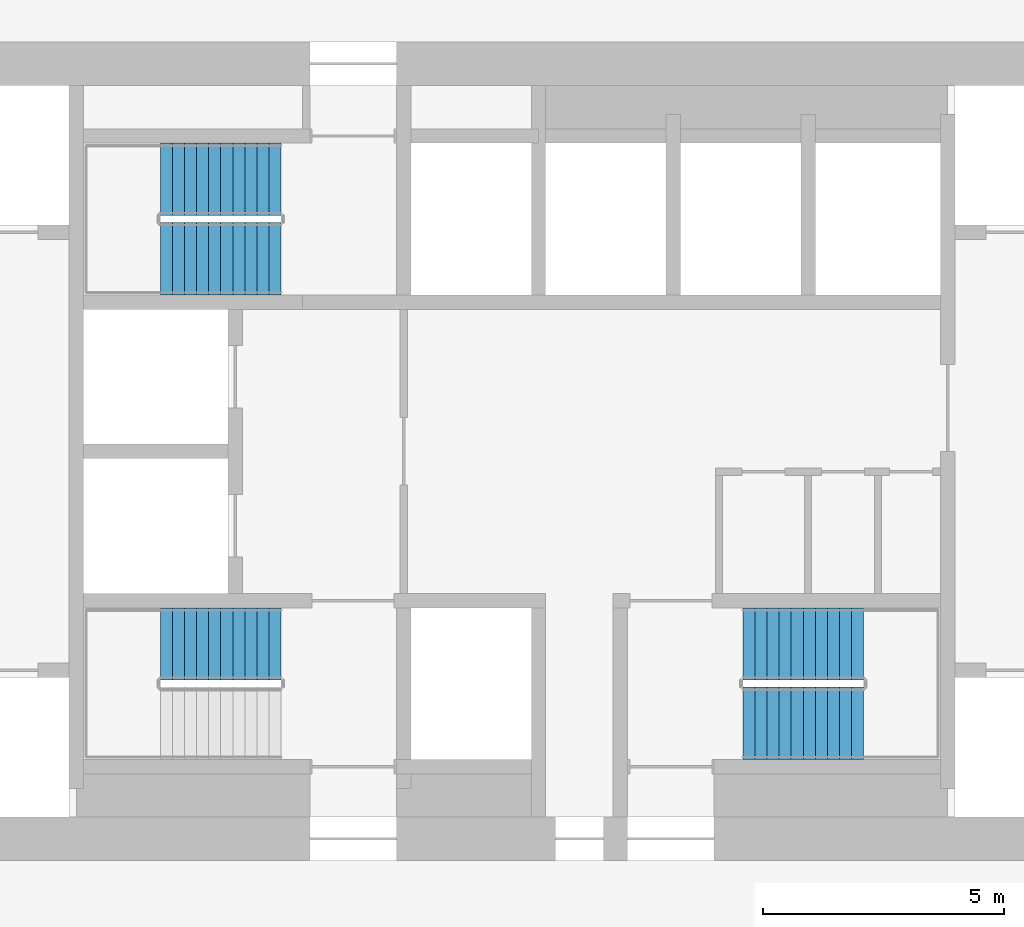
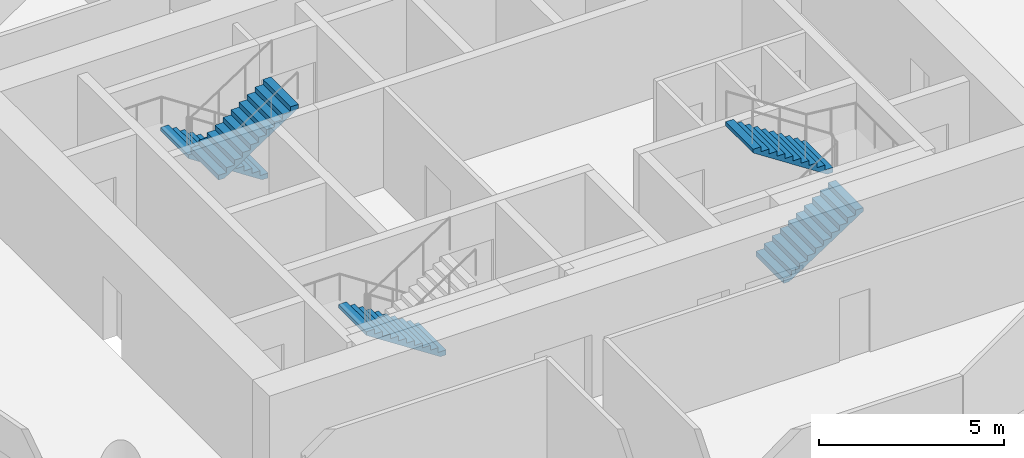
# One storey, part 9 of 10: 5 stair flights, 3 elements without a shape of their own.
"""IFC4 building model written with IfcOpenShell, lengths in metres."""

from ifc_helpers import new_model, si_unit, direction, frame, origin, place, context, subcontext, project, spatial, polyline, outline, extrude, material, type_object, element, aggregate, save


model = new_model("IFC4")

# Units and contexts
model_context = context("Model", 3, precision=1e-05, world=origin(), true_north=direction((0.0, 1.0)))
body_context = subcontext(model_context, "Body", "Model", "MODEL_VIEW")
ifc_project = project(units=[si_unit("LENGTHUNIT", "METRE"), si_unit("AREAUNIT", "SQUARE_METRE"), si_unit("VOLUMEUNIT", "CUBIC_METRE"), si_unit("PLANEANGLEUNIT", "RADIAN"), si_unit("MASSUNIT", "GRAM", prefix="KILO")], contexts=[model_context])

# Site, building, storey
site_placement = place(None, origin())
site = spatial("IfcSite", under=ifc_project, at=site_placement, CompositionType="ELEMENT")
building_placement = place(site_placement, origin())
building = spatial("IfcBuilding", under=site, at=building_placement, Name="Tracery Tower", CompositionType="ELEMENT")
storey_placement = place(building_placement, frame((0.0, 0.0, 140.39990234375)))
storey = spatial("IfcBuildingStorey", under=building, at=storey_placement, Name="L35", CompositionType="ELEMENT", Elevation=140.39990234375)

# Stair, stair flight
ifc_material_1 = material(Name="Concrete C32/40", Category="concrete")
stair_type = type_object("IfcStairType", Name="Core stair 22 risers", PredefinedType="HALF_TURN_STAIR", material=ifc_material_1)
stair_1_placement = place(storey_placement, origin())
stair_1 = element("IfcStair", 1, at=stair_1_placement, inside=storey, type_object=stair_type, Name="L35 stair ST1", PredefinedType="HALF_TURN_STAIR")
ifc_material_2 = material(Name="Concrete C32/40", Category="concrete")
stair_flight_type = type_object("IfcStairFlightType", Name="Core stair flight 11 risers", PredefinedType="STRAIGHT", material=ifc_material_2)
stair_flight_1_placement = place(storey_placement, frame((-4.800048828125, -4.0, 0.0), z_axis=(0.0, 0.0, 1.0), x_axis=(-1.0, 0.0, 0.0)))
stair_flight_1 = element("IfcStairFlight", 2, at=stair_flight_1_placement, type_object=stair_flight_type, Name="ST1 flight 1", NumberOfRisers=11, NumberOfTreads=10, PredefinedType="STRAIGHT", RiserHeight=0.163636364, TreadLength=0.25, context=body_context, shape_type="SweptSolid", body=[
    extrude(outline(polyline([(0.0, 0.0), (0.0, 0.002685546875), (0.0, 0.00537109375), (0.0, 0.008056640625), (0.0, 0.0107421875), (0.0, 0.013427734375), (0.0, 0.01611328125), (0.0, 0.018798828125), (0.0, 0.021484375), (0.0, 0.024169921875), (0.0, 0.02685546875), (0.0, 0.029541015625), (0.0, 0.0322265625), (0.0, 0.034912109375), (0.0, 0.03759765625), (0.0, 0.040283203125), (0.0, 0.04296875), (0.0, 0.045654296875), (0.0, 0.04833984375), (0.0, 0.051025390625), (0.0, 0.0537109375), (0.0, 0.056396484375), (0.0, 0.05908203125), (0.0, 0.061767578125), (0.0, 0.064453125), (0.0, 0.067138671875), (0.0, 0.06982421875), (0.0, 0.072509765625), (0.0, 0.0751953125), (0.0, 0.077880859375), (0.0, 0.08056640625), (0.0, 0.083251953125), (0.0, 0.0859375), (0.0, 0.088623046875), (0.0, 0.09130859375), (0.0, 0.093994140625), (0.0, 0.0966796875), (0.0, 0.099365234375), (0.0, 0.10205078125), (0.0, 0.104736328125), (0.0, 0.107421875), (0.0, 0.10986328125), (0.0, 0.112548828125), (0.0, 0.115234375), (0.0, 0.117919921875), (0.0, 0.12060546875), (0.0, 0.123291015625), (0.0, 0.1259765625), (0.0, 0.128662109375), (0.0, 0.13134765625), (0.0, 0.134033203125), (0.0, 0.13671875), (0.0, 0.139404296875), (0.0, 0.14208984375), (0.0, 0.144775390625), (0.0, 0.1474609375), (0.0, 0.150146484375), (0.0, 0.15283203125), (0.0, 0.155517578125), (0.0, 0.158203125), (0.0, 0.160888671875), (0.0, 0.16357421875), (0.25, 0.16357421875), (0.25, 0.327392578125), (0.5, 0.327392578125), (0.5, 0.490966796875), (0.75, 0.490966796875), (0.75, 0.654541015625), (1.0, 0.654541015625), (1.0, 0.818115234375), (1.25, 0.818115234375), (1.25, 0.98193359375), (1.5, 0.98193359375), (1.5, 1.1455078125), (1.75, 1.1455078125), (1.75, 1.30908203125), (2.0, 1.30908203125), (2.0, 1.47265625), (2.25, 1.47265625), (2.25, 1.636474609375), (2.5, 1.636474609375), (2.5, 1.634521484375), (2.5, 1.63232421875), (2.5, 1.63037109375), (2.5, 1.62841796875), (2.5, 1.62646484375), (2.5, 1.62451171875), (2.5, 1.62255859375), (2.5, 1.62060546875), (2.5, 1.61865234375), (2.5, 1.61669921875), (2.5, 1.61474609375), (2.5, 1.61279296875), (2.5, 1.61083984375), (2.5, 1.60888671875), (2.5, 1.60693359375), (2.5, 1.60498046875), (2.5, 1.60302734375), (2.5, 1.60107421875), (2.5, 1.59912109375), (2.5, 1.59716796875), (2.5, 1.59521484375), (2.5, 1.59326171875), (2.5, 1.59130859375), (2.5, 1.58935546875), (2.5, 1.58740234375), (2.5, 1.58544921875), (2.5, 1.58349609375), (2.5, 1.58154296875), (2.5, 1.57958984375), (2.5, 1.57763671875), (2.5, 1.57568359375), (2.5, 1.573486328125), (2.5, 1.571533203125), (2.5, 1.569580078125), (2.5, 1.567626953125), (2.5, 1.565673828125), (2.5, 1.563720703125), (2.5, 1.561767578125), (2.5, 1.559814453125), (2.5, 1.557861328125), (2.5, 1.555908203125), (2.5, 1.553955078125), (2.5, 1.552001953125), (2.5, 1.550048828125), (2.5, 1.548095703125), (2.5, 1.546142578125), (2.5, 1.544189453125), (2.5, 1.542236328125), (2.5, 1.540283203125), (2.5, 1.538330078125), (2.5, 1.536376953125), (2.5, 1.534423828125), (2.5, 1.532470703125), (2.5, 1.530517578125), (2.5, 1.528564453125), (2.5, 1.526611328125), (2.5, 1.524658203125), (2.5, 1.522705078125), (2.5, 1.520751953125), (2.5, 1.518798828125), (2.5, 1.516845703125), (0.182861328125, 0.0), (0.0, 0.0)])), frame((0.0, 0.75, 0.0), z_axis=(0.0, -1.0, 0.0), x_axis=(1.0, 0.0, 0.0)), (0.0, 0.0, 1.0), 1.5),
])
aggregate(stair_1, [stair_flight_1])

# Stair, stair flights
stair_2_placement = place(storey_placement, origin())
stair_2 = element("IfcStair", 3, at=stair_2_placement, inside=storey, type_object=stair_type, Name="L35 stair ST3", PredefinedType="HALF_TURN_STAIR")
stair_flight_2_placement = place(storey_placement, frame((-4.800048828125, 5.64990234375, 0.0), z_axis=(0.0, 0.0, 1.0), x_axis=(-1.0, 0.0, 0.0)))
stair_flight_2 = element("IfcStairFlight", 4, at=stair_flight_2_placement, type_object=stair_flight_type, Name="ST3 flight 1", NumberOfRisers=11, NumberOfTreads=10, PredefinedType="STRAIGHT", RiserHeight=0.163636364, TreadLength=0.25, context=body_context, shape_type="SweptSolid", body=[
    extrude(outline(polyline([(0.0, 0.0), (0.0, 0.002685546875), (0.0, 0.00537109375), (0.0, 0.008056640625), (0.0, 0.0107421875), (0.0, 0.013427734375), (0.0, 0.01611328125), (0.0, 0.018798828125), (0.0, 0.021484375), (0.0, 0.024169921875), (0.0, 0.02685546875), (0.0, 0.029541015625), (0.0, 0.0322265625), (0.0, 0.034912109375), (0.0, 0.03759765625), (0.0, 0.040283203125), (0.0, 0.04296875), (0.0, 0.045654296875), (0.0, 0.04833984375), (0.0, 0.051025390625), (0.0, 0.0537109375), (0.0, 0.056396484375), (0.0, 0.05908203125), (0.0, 0.061767578125), (0.0, 0.064453125), (0.0, 0.067138671875), (0.0, 0.06982421875), (0.0, 0.072509765625), (0.0, 0.0751953125), (0.0, 0.077880859375), (0.0, 0.08056640625), (0.0, 0.083251953125), (0.0, 0.0859375), (0.0, 0.088623046875), (0.0, 0.09130859375), (0.0, 0.093994140625), (0.0, 0.0966796875), (0.0, 0.099365234375), (0.0, 0.10205078125), (0.0, 0.104736328125), (0.0, 0.107421875), (0.0, 0.10986328125), (0.0, 0.112548828125), (0.0, 0.115234375), (0.0, 0.117919921875), (0.0, 0.12060546875), (0.0, 0.123291015625), (0.0, 0.1259765625), (0.0, 0.128662109375), (0.0, 0.13134765625), (0.0, 0.134033203125), (0.0, 0.13671875), (0.0, 0.139404296875), (0.0, 0.14208984375), (0.0, 0.144775390625), (0.0, 0.1474609375), (0.0, 0.150146484375), (0.0, 0.15283203125), (0.0, 0.155517578125), (0.0, 0.158203125), (0.0, 0.160888671875), (0.0, 0.16357421875), (0.25, 0.16357421875), (0.25, 0.327392578125), (0.5, 0.327392578125), (0.5, 0.490966796875), (0.75, 0.490966796875), (0.75, 0.654541015625), (1.0, 0.654541015625), (1.0, 0.818115234375), (1.25, 0.818115234375), (1.25, 0.98193359375), (1.5, 0.98193359375), (1.5, 1.1455078125), (1.75, 1.1455078125), (1.75, 1.30908203125), (2.0, 1.30908203125), (2.0, 1.47265625), (2.25, 1.47265625), (2.25, 1.636474609375), (2.5, 1.636474609375), (2.5, 1.634521484375), (2.5, 1.63232421875), (2.5, 1.63037109375), (2.5, 1.62841796875), (2.5, 1.62646484375), (2.5, 1.62451171875), (2.5, 1.62255859375), (2.5, 1.62060546875), (2.5, 1.61865234375), (2.5, 1.61669921875), (2.5, 1.61474609375), (2.5, 1.61279296875), (2.5, 1.61083984375), (2.5, 1.60888671875), (2.5, 1.60693359375), (2.5, 1.60498046875), (2.5, 1.60302734375), (2.5, 1.60107421875), (2.5, 1.59912109375), (2.5, 1.59716796875), (2.5, 1.59521484375), (2.5, 1.59326171875), (2.5, 1.59130859375), (2.5, 1.58935546875), (2.5, 1.58740234375), (2.5, 1.58544921875), (2.5, 1.58349609375), (2.5, 1.58154296875), (2.5, 1.57958984375), (2.5, 1.57763671875), (2.5, 1.57568359375), (2.5, 1.573486328125), (2.5, 1.571533203125), (2.5, 1.569580078125), (2.5, 1.567626953125), (2.5, 1.565673828125), (2.5, 1.563720703125), (2.5, 1.561767578125), (2.5, 1.559814453125), (2.5, 1.557861328125), (2.5, 1.555908203125), (2.5, 1.553955078125), (2.5, 1.552001953125), (2.5, 1.550048828125), (2.5, 1.548095703125), (2.5, 1.546142578125), (2.5, 1.544189453125), (2.5, 1.542236328125), (2.5, 1.540283203125), (2.5, 1.538330078125), (2.5, 1.536376953125), (2.5, 1.534423828125), (2.5, 1.532470703125), (2.5, 1.530517578125), (2.5, 1.528564453125), (2.5, 1.526611328125), (2.5, 1.524658203125), (2.5, 1.522705078125), (2.5, 1.520751953125), (2.5, 1.518798828125), (2.5, 1.516845703125), (0.182861328125, 0.0), (0.0, 0.0)])), frame((0.0, 0.75, 0.0), z_axis=(0.0, -1.0, 0.0), x_axis=(1.0, 0.0, 0.0)), (0.0, 0.0, 1.0), 1.5),
])
stair_flight_3_placement = place(storey_placement, frame((-7.300048828125, 4.0, 1.800048828125), z_axis=(0.0, 0.0, 1.0), x_axis=(1.0, 0.0, 0.0)))
stair_flight_3 = element("IfcStairFlight", 5, at=stair_flight_3_placement, type_object=stair_flight_type, Name="ST3 flight 2", NumberOfRisers=11, NumberOfTreads=10, PredefinedType="STRAIGHT", RiserHeight=0.163636364, TreadLength=0.25, context=body_context, shape_type="SweptSolid", body=[
    extrude(outline(polyline([(0.0, 0.0), (0.0, 0.002685546875), (0.0, 0.00537109375), (0.0, 0.008056640625), (0.0, 0.0107421875), (0.0, 0.013427734375), (0.0, 0.01611328125), (0.0, 0.018798828125), (0.0, 0.021484375), (0.0, 0.024169921875), (0.0, 0.02685546875), (0.0, 0.029541015625), (0.0, 0.0322265625), (0.0, 0.034912109375), (0.0, 0.03759765625), (0.0, 0.040283203125), (0.0, 0.04296875), (0.0, 0.045654296875), (0.0, 0.04833984375), (0.0, 0.051025390625), (0.0, 0.0537109375), (0.0, 0.056396484375), (0.0, 0.05908203125), (0.0, 0.061767578125), (0.0, 0.064453125), (0.0, 0.067138671875), (0.0, 0.06982421875), (0.0, 0.072509765625), (0.0, 0.0751953125), (0.0, 0.077880859375), (0.0, 0.08056640625), (0.0, 0.083251953125), (0.0, 0.0859375), (0.0, 0.088623046875), (0.0, 0.09130859375), (0.0, 0.093994140625), (0.0, 0.0966796875), (0.0, 0.099365234375), (0.0, 0.10205078125), (0.0, 0.104736328125), (0.0, 0.107421875), (0.0, 0.10986328125), (0.0, 0.112548828125), (0.0, 0.115234375), (0.0, 0.117919921875), (0.0, 0.12060546875), (0.0, 0.123291015625), (0.0, 0.1259765625), (0.0, 0.128662109375), (0.0, 0.13134765625), (0.0, 0.134033203125), (0.0, 0.13671875), (0.0, 0.139404296875), (0.0, 0.14208984375), (0.0, 0.144775390625), (0.0, 0.1474609375), (0.0, 0.150146484375), (0.0, 0.15283203125), (0.0, 0.155517578125), (0.0, 0.158203125), (0.0, 0.160888671875), (0.0, 0.16357421875), (0.25, 0.16357421875), (0.25, 0.327392578125), (0.5, 0.327392578125), (0.5, 0.490966796875), (0.75, 0.490966796875), (0.75, 0.654541015625), (1.0, 0.654541015625), (1.0, 0.818115234375), (1.25, 0.818115234375), (1.25, 0.98193359375), (1.5, 0.98193359375), (1.5, 1.1455078125), (1.75, 1.1455078125), (1.75, 1.30908203125), (2.0, 1.30908203125), (2.0, 1.47265625), (2.25, 1.47265625), (2.25, 1.636474609375), (2.5, 1.636474609375), (2.5, 1.634521484375), (2.5, 1.63232421875), (2.5, 1.63037109375), (2.5, 1.62841796875), (2.5, 1.62646484375), (2.5, 1.62451171875), (2.5, 1.62255859375), (2.5, 1.62060546875), (2.5, 1.61865234375), (2.5, 1.61669921875), (2.5, 1.61474609375), (2.5, 1.61279296875), (2.5, 1.61083984375), (2.5, 1.60888671875), (2.5, 1.60693359375), (2.5, 1.60498046875), (2.5, 1.60302734375), (2.5, 1.60107421875), (2.5, 1.59912109375), (2.5, 1.59716796875), (2.5, 1.59521484375), (2.5, 1.59326171875), (2.5, 1.59130859375), (2.5, 1.58935546875), (2.5, 1.58740234375), (2.5, 1.58544921875), (2.5, 1.58349609375), (2.5, 1.58154296875), (2.5, 1.57958984375), (2.5, 1.57763671875), (2.5, 1.57568359375), (2.5, 1.573486328125), (2.5, 1.571533203125), (2.5, 1.569580078125), (2.5, 1.567626953125), (2.5, 1.565673828125), (2.5, 1.563720703125), (2.5, 1.561767578125), (2.5, 1.559814453125), (2.5, 1.557861328125), (2.5, 1.555908203125), (2.5, 1.553955078125), (2.5, 1.552001953125), (2.5, 1.550048828125), (2.5, 1.548095703125), (2.5, 1.546142578125), (2.5, 1.544189453125), (2.5, 1.542236328125), (2.5, 1.540283203125), (2.5, 1.538330078125), (2.5, 1.536376953125), (2.5, 1.534423828125), (2.5, 1.532470703125), (2.5, 1.530517578125), (2.5, 1.528564453125), (2.5, 1.526611328125), (2.5, 1.524658203125), (2.5, 1.522705078125), (2.5, 1.520751953125), (2.5, 1.518798828125), (2.5, 1.516845703125), (0.182861328125, 0.0), (0.0, 0.0)])), frame((0.0, 0.75, 0.0), z_axis=(0.0, -1.0, 0.0), x_axis=(1.0, 0.0, 0.0)), (0.0, 0.0, 1.0), 1.5),
])
aggregate(stair_2, [stair_flight_2, stair_flight_3])

stair_3_placement = place(storey_placement, origin())
stair_3 = element("IfcStair", 6, at=stair_3_placement, inside=storey, type_object=stair_type, Name="L35 stair ST2", PredefinedType="HALF_TURN_STAIR")
stair_flight_4_placement = place(storey_placement, frame((4.800048828125, -5.64990234375, 0.0), z_axis=(0.0, 0.0, 1.0), x_axis=(1.0, 0.0, 0.0)))
stair_flight_4 = element("IfcStairFlight", 7, at=stair_flight_4_placement, type_object=stair_flight_type, Name="ST2 flight 1", NumberOfRisers=11, NumberOfTreads=10, PredefinedType="STRAIGHT", RiserHeight=0.163636364, TreadLength=0.25, context=body_context, shape_type="SweptSolid", body=[
    extrude(outline(polyline([(0.0, 0.0), (0.0, 0.002685546875), (0.0, 0.00537109375), (0.0, 0.008056640625), (0.0, 0.0107421875), (0.0, 0.013427734375), (0.0, 0.01611328125), (0.0, 0.018798828125), (0.0, 0.021484375), (0.0, 0.024169921875), (0.0, 0.02685546875), (0.0, 0.029541015625), (0.0, 0.0322265625), (0.0, 0.034912109375), (0.0, 0.03759765625), (0.0, 0.040283203125), (0.0, 0.04296875), (0.0, 0.045654296875), (0.0, 0.04833984375), (0.0, 0.051025390625), (0.0, 0.0537109375), (0.0, 0.056396484375), (0.0, 0.05908203125), (0.0, 0.061767578125), (0.0, 0.064453125), (0.0, 0.067138671875), (0.0, 0.06982421875), (0.0, 0.072509765625), (0.0, 0.0751953125), (0.0, 0.077880859375), (0.0, 0.08056640625), (0.0, 0.083251953125), (0.0, 0.0859375), (0.0, 0.088623046875), (0.0, 0.09130859375), (0.0, 0.093994140625), (0.0, 0.0966796875), (0.0, 0.099365234375), (0.0, 0.10205078125), (0.0, 0.104736328125), (0.0, 0.107421875), (0.0, 0.10986328125), (0.0, 0.112548828125), (0.0, 0.115234375), (0.0, 0.117919921875), (0.0, 0.12060546875), (0.0, 0.123291015625), (0.0, 0.1259765625), (0.0, 0.128662109375), (0.0, 0.13134765625), (0.0, 0.134033203125), (0.0, 0.13671875), (0.0, 0.139404296875), (0.0, 0.14208984375), (0.0, 0.144775390625), (0.0, 0.1474609375), (0.0, 0.150146484375), (0.0, 0.15283203125), (0.0, 0.155517578125), (0.0, 0.158203125), (0.0, 0.160888671875), (0.0, 0.16357421875), (0.25, 0.16357421875), (0.25, 0.327392578125), (0.5, 0.327392578125), (0.5, 0.490966796875), (0.75, 0.490966796875), (0.75, 0.654541015625), (1.0, 0.654541015625), (1.0, 0.818115234375), (1.25, 0.818115234375), (1.25, 0.98193359375), (1.5, 0.98193359375), (1.5, 1.1455078125), (1.75, 1.1455078125), (1.75, 1.30908203125), (2.0, 1.30908203125), (2.0, 1.47265625), (2.25, 1.47265625), (2.25, 1.636474609375), (2.5, 1.636474609375), (2.5, 1.634521484375), (2.5, 1.63232421875), (2.5, 1.63037109375), (2.5, 1.62841796875), (2.5, 1.62646484375), (2.5, 1.62451171875), (2.5, 1.62255859375), (2.5, 1.62060546875), (2.5, 1.61865234375), (2.5, 1.61669921875), (2.5, 1.61474609375), (2.5, 1.61279296875), (2.5, 1.61083984375), (2.5, 1.60888671875), (2.5, 1.60693359375), (2.5, 1.60498046875), (2.5, 1.60302734375), (2.5, 1.60107421875), (2.5, 1.59912109375), (2.5, 1.59716796875), (2.5, 1.59521484375), (2.5, 1.59326171875), (2.5, 1.59130859375), (2.5, 1.58935546875), (2.5, 1.58740234375), (2.5, 1.58544921875), (2.5, 1.58349609375), (2.5, 1.58154296875), (2.5, 1.57958984375), (2.5, 1.57763671875), (2.5, 1.57568359375), (2.5, 1.573486328125), (2.5, 1.571533203125), (2.5, 1.569580078125), (2.5, 1.567626953125), (2.5, 1.565673828125), (2.5, 1.563720703125), (2.5, 1.561767578125), (2.5, 1.559814453125), (2.5, 1.557861328125), (2.5, 1.555908203125), (2.5, 1.553955078125), (2.5, 1.552001953125), (2.5, 1.550048828125), (2.5, 1.548095703125), (2.5, 1.546142578125), (2.5, 1.544189453125), (2.5, 1.542236328125), (2.5, 1.540283203125), (2.5, 1.538330078125), (2.5, 1.536376953125), (2.5, 1.534423828125), (2.5, 1.532470703125), (2.5, 1.530517578125), (2.5, 1.528564453125), (2.5, 1.526611328125), (2.5, 1.524658203125), (2.5, 1.522705078125), (2.5, 1.520751953125), (2.5, 1.518798828125), (2.5, 1.516845703125), (0.182861328125, 0.0), (0.0, 0.0)])), frame((0.0, 0.75, 0.0), z_axis=(0.0, -1.0, 0.0), x_axis=(1.0, 0.0, 0.0)), (0.0, 0.0, 1.0), 1.5),
])
stair_flight_5_placement = place(storey_placement, frame((7.300048828125, -4.0, 1.800048828125), z_axis=(0.0, 0.0, 1.0), x_axis=(-1.0, 0.0, 0.0)))
stair_flight_5 = element("IfcStairFlight", 8, at=stair_flight_5_placement, type_object=stair_flight_type, Name="ST2 flight 2", NumberOfRisers=11, NumberOfTreads=10, PredefinedType="STRAIGHT", RiserHeight=0.163636364, TreadLength=0.25, context=body_context, shape_type="SweptSolid", body=[
    extrude(outline(polyline([(0.0, 0.0), (0.0, 0.002685546875), (0.0, 0.00537109375), (0.0, 0.008056640625), (0.0, 0.0107421875), (0.0, 0.013427734375), (0.0, 0.01611328125), (0.0, 0.018798828125), (0.0, 0.021484375), (0.0, 0.024169921875), (0.0, 0.02685546875), (0.0, 0.029541015625), (0.0, 0.0322265625), (0.0, 0.034912109375), (0.0, 0.03759765625), (0.0, 0.040283203125), (0.0, 0.04296875), (0.0, 0.045654296875), (0.0, 0.04833984375), (0.0, 0.051025390625), (0.0, 0.0537109375), (0.0, 0.056396484375), (0.0, 0.05908203125), (0.0, 0.061767578125), (0.0, 0.064453125), (0.0, 0.067138671875), (0.0, 0.06982421875), (0.0, 0.072509765625), (0.0, 0.0751953125), (0.0, 0.077880859375), (0.0, 0.08056640625), (0.0, 0.083251953125), (0.0, 0.0859375), (0.0, 0.088623046875), (0.0, 0.09130859375), (0.0, 0.093994140625), (0.0, 0.0966796875), (0.0, 0.099365234375), (0.0, 0.10205078125), (0.0, 0.104736328125), (0.0, 0.107421875), (0.0, 0.10986328125), (0.0, 0.112548828125), (0.0, 0.115234375), (0.0, 0.117919921875), (0.0, 0.12060546875), (0.0, 0.123291015625), (0.0, 0.1259765625), (0.0, 0.128662109375), (0.0, 0.13134765625), (0.0, 0.134033203125), (0.0, 0.13671875), (0.0, 0.139404296875), (0.0, 0.14208984375), (0.0, 0.144775390625), (0.0, 0.1474609375), (0.0, 0.150146484375), (0.0, 0.15283203125), (0.0, 0.155517578125), (0.0, 0.158203125), (0.0, 0.160888671875), (0.0, 0.16357421875), (0.25, 0.16357421875), (0.25, 0.327392578125), (0.5, 0.327392578125), (0.5, 0.490966796875), (0.75, 0.490966796875), (0.75, 0.654541015625), (1.0, 0.654541015625), (1.0, 0.818115234375), (1.25, 0.818115234375), (1.25, 0.98193359375), (1.5, 0.98193359375), (1.5, 1.1455078125), (1.75, 1.1455078125), (1.75, 1.30908203125), (2.0, 1.30908203125), (2.0, 1.47265625), (2.25, 1.47265625), (2.25, 1.636474609375), (2.5, 1.636474609375), (2.5, 1.634521484375), (2.5, 1.63232421875), (2.5, 1.63037109375), (2.5, 1.62841796875), (2.5, 1.62646484375), (2.5, 1.62451171875), (2.5, 1.62255859375), (2.5, 1.62060546875), (2.5, 1.61865234375), (2.5, 1.61669921875), (2.5, 1.61474609375), (2.5, 1.61279296875), (2.5, 1.61083984375), (2.5, 1.60888671875), (2.5, 1.60693359375), (2.5, 1.60498046875), (2.5, 1.60302734375), (2.5, 1.60107421875), (2.5, 1.59912109375), (2.5, 1.59716796875), (2.5, 1.59521484375), (2.5, 1.59326171875), (2.5, 1.59130859375), (2.5, 1.58935546875), (2.5, 1.58740234375), (2.5, 1.58544921875), (2.5, 1.58349609375), (2.5, 1.58154296875), (2.5, 1.57958984375), (2.5, 1.57763671875), (2.5, 1.57568359375), (2.5, 1.573486328125), (2.5, 1.571533203125), (2.5, 1.569580078125), (2.5, 1.567626953125), (2.5, 1.565673828125), (2.5, 1.563720703125), (2.5, 1.561767578125), (2.5, 1.559814453125), (2.5, 1.557861328125), (2.5, 1.555908203125), (2.5, 1.553955078125), (2.5, 1.552001953125), (2.5, 1.550048828125), (2.5, 1.548095703125), (2.5, 1.546142578125), (2.5, 1.544189453125), (2.5, 1.542236328125), (2.5, 1.540283203125), (2.5, 1.538330078125), (2.5, 1.536376953125), (2.5, 1.534423828125), (2.5, 1.532470703125), (2.5, 1.530517578125), (2.5, 1.528564453125), (2.5, 1.526611328125), (2.5, 1.524658203125), (2.5, 1.522705078125), (2.5, 1.520751953125), (2.5, 1.518798828125), (2.5, 1.516845703125), (0.182861328125, 0.0), (0.0, 0.0)])), frame((0.0, 0.75, 0.0), z_axis=(0.0, -1.0, 0.0), x_axis=(1.0, 0.0, 0.0)), (0.0, 0.0, 1.0), 1.5),
])
aggregate(stair_3, [stair_flight_4, stair_flight_5])

save(model, "model.ifc")
